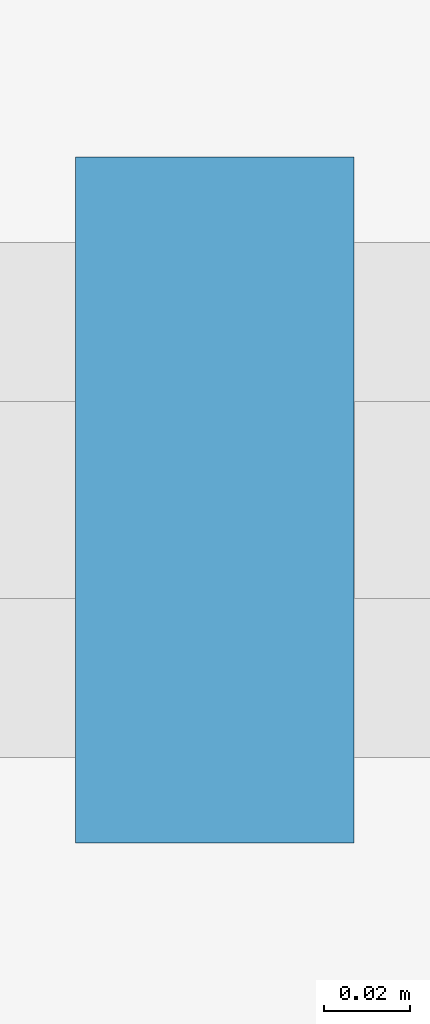
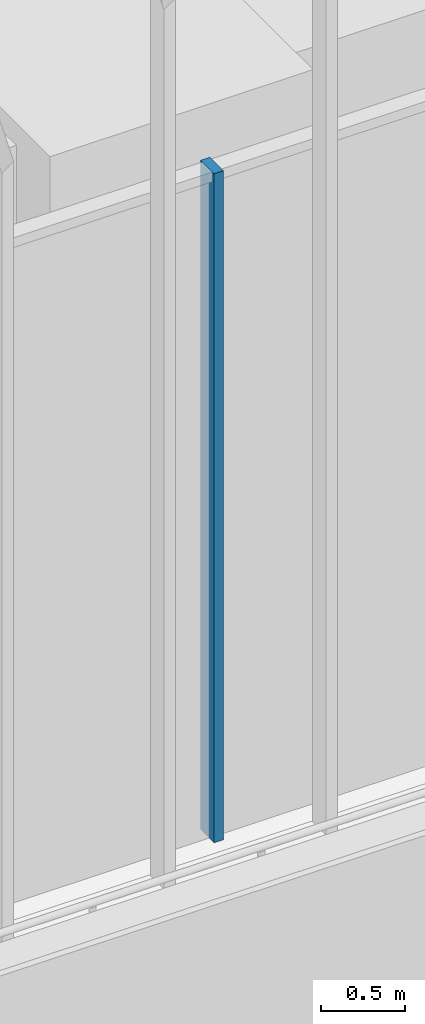
# One storey, part 36 of 228: 1 member, 1 element without a shape of its own.
"""IFC4 building model written with IfcOpenShell, lengths in metres."""

from ifc_helpers import new_model, si_unit, direction, frame, origin, origin_2d, place, context, subcontext, project, spatial, rectangle, extrude, material, material_profile, profile_set, type_object, element, aggregate, save


model = new_model("IFC4")

# Units and contexts
model_context = context("Model", 3, precision=1e-05, world=origin(), true_north=direction((0.0, 1.0)))
body_context = subcontext(model_context, "Body", "Model", "MODEL_VIEW")
ifc_project = project(units=[si_unit("LENGTHUNIT", "METRE"), si_unit("AREAUNIT", "SQUARE_METRE"), si_unit("VOLUMEUNIT", "CUBIC_METRE"), si_unit("PLANEANGLEUNIT", "RADIAN"), si_unit("MASSUNIT", "GRAM", prefix="KILO")], contexts=[model_context])

# Site, building, storey
site_placement = place(None, origin())
site = spatial("IfcSite", under=ifc_project, at=site_placement, CompositionType="ELEMENT")
building_placement = place(site_placement, origin())
building = spatial("IfcBuilding", under=site, at=building_placement, Name="Sandreach Pilgrim Tower", CompositionType="ELEMENT")
storey_placement = place(building_placement, frame((0.0, 0.0, 178.199951171875)))
storey = spatial("IfcBuildingStorey", under=building, at=storey_placement, Name="L44", CompositionType="ELEMENT", Elevation=178.199951171875)

# Curtain wall, member
ifc_material_1 = material(Name="Aluminium framed curtain wall", Category="aluminium")
curtain_wall_type = type_object("IfcCurtainWallType", Name="Upper hotel tower curtain wall", PredefinedType="NOTDEFINED", material=ifc_material_1)
curtain_wall_placement = place(storey_placement, origin())
curtain_wall = element("IfcCurtainWall", 1, at=curtain_wall_placement, inside=storey, type_object=curtain_wall_type, Name="CW-3 L44 SA", PredefinedType="NOTDEFINED")
ifc_material_2 = material(Name="Aluminium extrusion", Category="aluminium")
ifc_material_profile = material_profile(ifc_material_2, rectangle(XDim=0.06494140625, YDim=0.159912109375, at=origin_2d()), Name="CW-3M 65X160")
ifc_profile_set = profile_set([ifc_material_profile], Name="Aluminium extrusion")
member_type = type_object("IfcMemberType", Name="CW-3 mullion", PredefinedType="MULLION", material=ifc_profile_set)
member_placement = place(storey_placement, frame((0.0, -26.525146484375, 0.0), z_axis=(0.0, 0.0, 1.0), x_axis=(-1.0, 0.0, 0.0)))
member = element("IfcMember", 2, at=member_placement, type_object=member_type, Name="CW-3 mullion 3", PredefinedType="MULLION", context=body_context, shape_type="SweptSolid", body=[
    extrude(rectangle(XDim=0.06494140625, YDim=0.159912109375, at=origin_2d()), origin(), (0.0, 0.0, 1.0), 4.840087890625),
])
aggregate(curtain_wall, [member])

save(model, "model.ifc")
